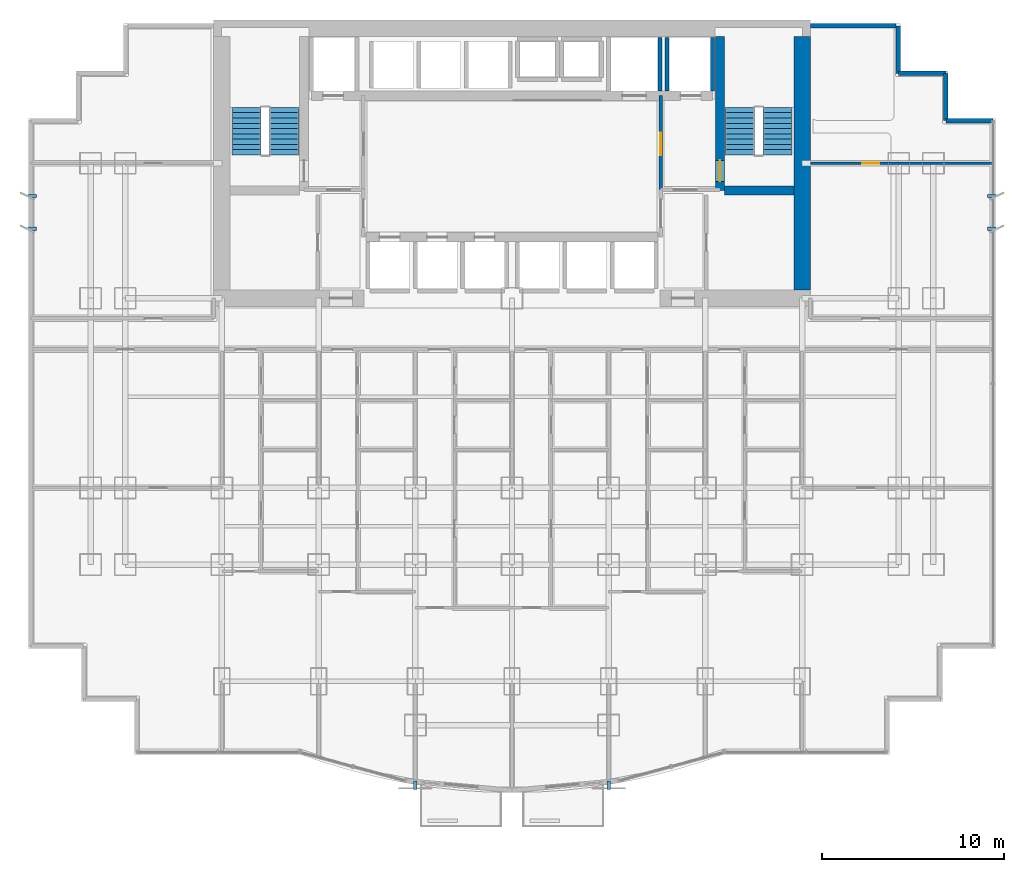
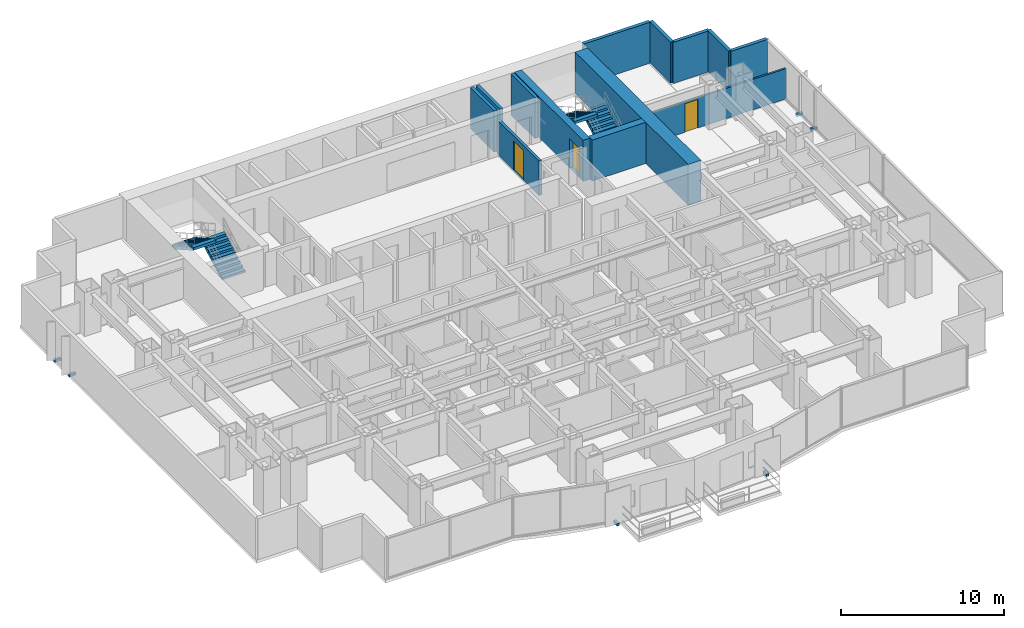
# One storey, part 10 of 12: 13 walls, 6 discrete accessories, 4 stair flights, 3 doors, 3 openings, 2 elements without a shape of their own.
"""IFC4 building model written with IfcOpenShell, lengths in metres."""

from ifc_helpers import new_model, si_unit, direction, frame, frame_2d, origin, origin_2d, place, context, subcontext, project, spatial, polyline, rectangle, outline, extrude, source, transform, mapped, material, layer, layer_set, type_object, element, fill, aggregate, save


model = new_model("IFC4")

# Units and contexts
model_context = context("Model", 3, precision=1e-05, world=origin(), true_north=direction((0.0, 1.0)))
body_context = subcontext(model_context, "Body", "Model", "MODEL_VIEW")
ifc_project = project(units=[si_unit("LENGTHUNIT", "METRE"), si_unit("AREAUNIT", "SQUARE_METRE"), si_unit("VOLUMEUNIT", "CUBIC_METRE"), si_unit("PLANEANGLEUNIT", "RADIAN"), si_unit("MASSUNIT", "GRAM", prefix="KILO")], contexts=[model_context])

# Site, building, storey
site_placement = place(None, origin())
site = spatial("IfcSite", under=ifc_project, at=site_placement, CompositionType="ELEMENT")
building_placement = place(site_placement, origin())
building = spatial("IfcBuilding", under=site, at=building_placement, Name="Qianlan Lanfeng Residences", CompositionType="ELEMENT")
storey_placement = place(building_placement, frame((0.0, 0.0, 27.5)))
storey = spatial("IfcBuildingStorey", under=building, at=storey_placement, Name="L06", CompositionType="ELEMENT", Elevation=27.5)

# Wall, opening, door
ifc_material_1 = material(Name="Concrete C70", Category="concrete")
ifc_layer_1 = layer(ifc_material_1, 0.5)
ifc_layer_set_1 = layer_set([ifc_layer_1], Name="Concrete C70")
wall_type_1 = type_object("IfcWallType", Name="CW-RC-500", PredefinedType="SHEAR", material=ifc_layer_set_1)
wall_1_placement = place(storey_placement, frame((37.89990234375, 31.10009765625, 0.0), z_axis=(0.0, 0.0, 1.0), x_axis=(0.0, 1.0, 0.0)))
wall_1 = element("IfcWall", 1, at=wall_1_placement, inside=storey, type_object=wall_type_1, Name="L06 Core Shear Wall ST2W", PredefinedType="SHEAR", context=body_context, shape_type="SweptSolid", body=[
    extrude(rectangle(XDim=8.449951171875, YDim=0.5, at=frame_2d((4.22509765625, 0.0))), origin(), (0.0, 0.0, 1.0), 3.080078125),
])
opening_1_placement = place(wall_1_placement, frame((0.510009765625, 0.0, 0.0)))
opening_1 = element("IfcOpeningElement", 2, at=opening_1_placement, cuts=wall_1, Name="Opening L06-D08", PredefinedType="OPENING", context=body_context, shape_type="SweptSolid", body=[
    extrude(rectangle(XDim=1.14990234375, YDim=2.199951171875, at=frame_2d((0.574951171875, 1.10009765625))), frame((0.0, 0.260009765625, 0.0), z_axis=(0.0, -1.0, 0.0), x_axis=(1.0, 0.0, 0.0)), (0.0, 0.0, 1.0), 0.52001953125),
])
ifc_material_2 = material(Name="Painted Galvanised Steel Fire Door", Category="steel")
door_type_1 = type_object("IfcDoorType", Name="DT-ST1", OperationType="NOTDEFINED", PredefinedType="DOOR", material=ifc_material_2)
door_1_placement = place(opening_1_placement, origin())
door_1 = element("IfcDoor", 3, at=door_1_placement, inside=storey, type_object=door_type_1, Name="L06 Exit Stair ST-2 Door L06-D08 (DT-ST1)", OperationType="SINGLE_SWING_RIGHT", OverallHeight=2.199951171875, OverallWidth=1.14990234375, PredefinedType="DOOR", context=body_context, shape_type="SweptSolid", body=[
    extrude(rectangle(XDim=1.14990234375, YDim=2.199951171875, at=frame_2d((0.574951171875, 1.10009765625))), frame((0.0, 0.02490234375, 0.0), z_axis=(0.0, -1.0, 0.0), x_axis=(1.0, 0.0, 0.0)), (0.0, 0.0, 1.0), 0.050048828125),
])
fill(opening_1, door_1)

# Walls
wall_2_placement = place(storey_placement, frame((38.14990234375, 31.10009765625, 0.0), z_axis=(0.0, 0.0, 1.0), x_axis=(1.0, 0.0, 0.0)))
element("IfcWall", 4, at=wall_2_placement, inside=storey, type_object=wall_type_1, Name="L06 Core Shear Wall ST2S", PredefinedType="SHEAR", context=body_context, shape_type="SweptSolid", body=[
    extrude(rectangle(XDim=3.800048828125, YDim=0.5, at=frame_2d((1.89990234375, 0.0))), origin(), (0.0, 0.0, 1.0), 3.080078125),
])
ifc_layer_2 = layer(ifc_material_1, 0.89990234375)
ifc_layer_set_2 = layer_set([ifc_layer_2], Name="Concrete C70")
wall_type_2 = type_object("IfcWallType", Name="CW-RC-900", PredefinedType="SHEAR", material=ifc_layer_set_2)
wall_3_placement = place(storey_placement, frame((42.39990234375, 25.64990234375, 0.0), z_axis=(0.0, 0.0, 1.0), x_axis=(0.0, 1.0, 0.0)))
element("IfcWall", 5, at=wall_3_placement, inside=storey, type_object=wall_type_2, Name="L06 Core Shear Wall E", PredefinedType="SHEAR", context=body_context, shape_type="SweptSolid", body=[
    extrude(rectangle(XDim=13.900146484375, YDim=0.89990234375, at=frame_2d((6.9501953125, 0.0))), origin(), (0.0, 0.0, 1.0), 3.080078125),
])
ifc_material_3 = material(Name="Concrete C42", Category="concrete")
ifc_layer_3 = layer(ifc_material_3, 0.239990234375)
ifc_layer_set_3 = layer_set([ifc_layer_3], Name="Concrete C42")
wall_type_3 = type_object("IfcWallType", Name="EW-240", PredefinedType="SOLIDWALL", material=ifc_layer_set_3)
wall_4_placement = place(storey_placement, frame((52.8798828125, 34.929931640625, 0.0), z_axis=(0.0, 0.0, 1.0), x_axis=(-1.0, 0.0, 0.0)))
element("IfcWall", 6, at=wall_4_placement, inside=storey, type_object=wall_type_3, Name="L06 Exterior Facade Spandrel Wall 11", PredefinedType="SOLIDWALL", context=body_context, shape_type="SweptSolid", body=[
    extrude(rectangle(XDim=2.599853515625, YDim=0.239990234375, at=frame_2d((1.2998046875, 0.0))), origin(), (0.0, 0.0, 1.0), 3.080078125),
])
for number, where, z_axis, x_axis, name in (
    (7, (50.280029296875, 34.929931640625, 0.0), (0.0, 0.0, 1.0), (0.0, 1.0, 0.0), "L06 Exterior Facade Spandrel Wall 12"),
    (8, (50.280029296875, 37.530029296875, 0.0), (0.0, 0.0, 1.0), (-1.0, 0.0, 0.0), "L06 Exterior Facade Spandrel Wall 13"),
):
    element("IfcWall", number, at=place(storey_placement, frame(where, z_axis=z_axis, x_axis=x_axis)), inside=storey, type_object=wall_type_3, Name=name, PredefinedType="SOLIDWALL", context=body_context, shape_type="SweptSolid", body=[
        extrude(rectangle(XDim=2.60009765625, YDim=0.239990234375, at=frame_2d((1.300048828125, 0.0))), origin(), (0.0, 0.0, 1.0), 3.080078125),
    ])
wall_5_placement = place(storey_placement, frame((47.679931640625, 37.530029296875, 0.0), z_axis=(0.0, 0.0, 1.0), x_axis=(0.0, 1.0, 0.0)))
element("IfcWall", 9, at=wall_5_placement, inside=storey, type_object=wall_type_3, Name="L06 Exterior Facade Spandrel Wall 14", PredefinedType="SOLIDWALL", context=body_context, shape_type="SweptSolid", body=[
    extrude(rectangle(XDim=2.599853515625, YDim=0.239990234375, at=frame_2d((1.2998046875, 0.0))), origin(), (0.0, 0.0, 1.0), 3.080078125),
])
wall_6_placement = place(storey_placement, frame((47.550048828125, 40.1298828125, 0.0), z_axis=(0.0, 0.0, 1.0), x_axis=(-1.0, 0.0, 0.0)))
element("IfcWall", 10, at=wall_6_placement, inside=storey, type_object=wall_type_3, Name="L06 North Wing Exterior Wall E", PredefinedType="SOLIDWALL", context=body_context, shape_type="SweptSolid", body=[
    extrude(rectangle(XDim=4.699951171875, YDim=0.239990234375, at=frame_2d((2.35009765625, 0.0))), origin(), (0.0, 0.0, 1.0), 3.080078125),
])

# Wall, opening, door
ifc_material_4 = material(Name="Moisture-Resistant Gypsum Partition 135 mm")
ifc_layer_4 = layer(ifc_material_4, 0.135009765625)
ifc_layer_set_4 = layer_set([ifc_layer_4], Name="Moisture-Resistant Gypsum Partition 135 mm")
wall_type_4 = type_object("IfcWallType", Name="PW-135", PredefinedType="PARTITIONING", material=ifc_layer_set_4)
wall_7_placement = place(storey_placement, frame((42.85009765625, 32.60009765625, 0.0), z_axis=(0.0, 0.0, 1.0), x_axis=(1.0, 0.0, 0.0)))
wall_7 = element("IfcWall", 11, at=wall_7_placement, inside=storey, type_object=wall_type_4, Name="L06 EW North Wing Wall", PredefinedType="PARTITIONING", context=body_context, shape_type="SweptSolid", body=[
    extrude(rectangle(XDim=10.02978515625, YDim=0.135009765625, at=frame_2d((5.014892578125, 0.0))), origin(), (0.0, 0.0, 1.0), 2.27490234375),
])
opening_2_placement = place(wall_7_placement, frame((2.85498046875, 0.0, 0.0)))
opening_2 = element("IfcOpeningElement", 12, at=opening_2_placement, cuts=wall_7, Name="Opening L06-D49", PredefinedType="OPENING", context=body_context, shape_type="SweptSolid", body=[
    extrude(rectangle(XDim=0.919921875, YDim=2.14990234375, at=frame_2d((0.4599609375, 1.074951171875))), frame((0.0, 0.07763671875, 0.0), z_axis=(0.0, -1.0, 0.0), x_axis=(1.0, 0.0, 0.0)), (0.0, 0.0, 1.0), 0.155029296875),
])
ifc_material_5 = material(Name="Glazed Timber Kitchen/Study Door", Category="wood")
door_type_2 = type_object("IfcDoorType", Name="DT-INT", OperationType="NOTDEFINED", PredefinedType="DOOR", material=ifc_material_5)
door_2_placement = place(opening_2_placement, origin())
door_2 = element("IfcDoor", 13, at=door_2_placement, inside=storey, type_object=door_type_2, Name="L06 EW Inner Salon Door L06-D49 (DT-INT)", OperationType="SINGLE_SWING_LEFT", OverallHeight=2.14990234375, OverallWidth=0.919921875, PredefinedType="DOOR", context=body_context, shape_type="SweptSolid", body=[
    extrude(rectangle(XDim=0.919921875, YDim=2.14990234375, at=frame_2d((0.4599609375, 1.074951171875))), frame((0.0, 0.02490234375, 0.0), z_axis=(0.0, -1.0, 0.0), x_axis=(1.0, 0.0, 0.0)), (0.0, 0.0, 1.0), 0.050048828125),
])
fill(opening_2, door_2)

ifc_material_6 = material(Name="Autoclaved Aerated Concrete Blockwork 200 mm", Category="masonry")
ifc_layer_5 = layer(ifc_material_6, 0.199951171875)
ifc_layer_set_5 = layer_set([ifc_layer_5], Name="Autoclaved Aerated Concrete Blockwork 200 mm")
wall_type_5 = type_object("IfcWallType", Name="PW-200", PredefinedType="PARTITIONING", material=ifc_layer_set_5)
wall_8_placement = place(storey_placement, frame((34.64990234375, 31.14990234375, 0.0), z_axis=(0.0, 0.0, 1.0), x_axis=(0.0, 1.0, 0.0)))
wall_8 = element("IfcWall", 14, at=wall_8_placement, inside=storey, type_object=wall_type_5, Name="L06 Firefighting Lobby 2 West Wall", PredefinedType="PARTITIONING", context=body_context, shape_type="SweptSolid", body=[
    extrude(rectangle(XDim=5.150146484375, YDim=0.199951171875, at=frame_2d((2.5751953125, 0.0))), origin(), (0.0, 0.0, 1.0), 2.570068359375),
])
opening_3_placement = place(wall_8_placement, frame((1.875, 0.0, 0.0)))
opening_3 = element("IfcOpeningElement", 15, at=opening_3_placement, cuts=wall_8, Name="Opening L06-D06", PredefinedType="OPENING", context=body_context, shape_type="SweptSolid", body=[
    extrude(rectangle(XDim=1.25, YDim=2.199951171875, at=frame_2d((0.625, 1.10009765625))), frame((0.0, 0.10986328125, 0.0), z_axis=(0.0, -1.0, 0.0), x_axis=(1.0, 0.0, 0.0)), (0.0, 0.0, 1.0), 0.219970703125),
])
door_type_3 = type_object("IfcDoorType", Name="DT-FFL", OperationType="NOTDEFINED", PredefinedType="DOOR", material=ifc_material_2)
door_3_placement = place(opening_3_placement, origin())
door_3 = element("IfcDoor", 16, at=door_3_placement, inside=storey, type_object=door_type_3, Name="L06 Firefighting Lobby 2 Lift Lobby Door L06-D06 (DT-FFL)", OperationType="SINGLE_SWING_LEFT", OverallHeight=2.199951171875, OverallWidth=1.25, PredefinedType="DOOR", context=body_context, shape_type="SweptSolid", body=[
    extrude(rectangle(XDim=1.25, YDim=2.199951171875, at=frame_2d((0.625, 1.10009765625))), frame((0.0, 0.02490234375, 0.0), z_axis=(0.0, -1.0, 0.0), x_axis=(1.0, 0.0, 0.0)), (0.0, 0.0, 1.0), 0.050048828125),
])
fill(opening_3, door_3)

# Walls
ifc_material_7 = material(Name="Concrete C49", Category="concrete")
ifc_layer_6 = layer(ifc_material_7, 0.219970703125)
ifc_layer_set_6 = layer_set([ifc_layer_6], Name="Concrete C49")
wall_type_6 = type_object("IfcWallType", Name="SHW-220", PredefinedType="SOLIDWALL", material=ifc_layer_set_6)
for number, where, z_axis, x_axis, name in (
    (17, (35.0, 36.550048828125, 0.0), (0.0, 0.0, 1.0), (0.0, 1.0, 0.0), "L06 Lift FFL-2 Shaft Wall W"),
    (18, (37.47998046875, 36.550048828125, 0.0), (0.0, 0.0, 1.0), (0.0, 1.0, 0.0), "L06 Lift FFL-2 Shaft Wall E"),
    (19, (34.60009765625, 36.550048828125, 0.0), (0.0, 0.0, 1.0), (0.0, 1.0, 0.0), "L06 Lift SVL-1 Shaft Wall E"),
):
    element("IfcWall", number, at=place(storey_placement, frame(where, z_axis=z_axis, x_axis=x_axis)), inside=storey, type_object=wall_type_6, Name=name, PredefinedType="SOLIDWALL", context=body_context, shape_type="SweptSolid", body=[
        extrude(rectangle(XDim=2.929931640625, YDim=0.219970703125, at=frame_2d((1.46484375, 0.0))), origin(), (0.0, 0.0, 1.0), 3.080078125),
    ])

# Stair, stair flights
stair_type = type_object("IfcStairType", Name="STR-MAIN", PredefinedType="HALF_TURN_STAIR", material=ifc_material_3)
stair_1_placement = place(storey_placement, origin())
stair_1 = element("IfcStair", 20, at=stair_1_placement, inside=storey, type_object=stair_type, Name="L06 Exit Stair ST-1", PredefinedType="HALF_TURN_STAIR")
stair_flight_type = type_object("IfcStairFlightType", Name="FLT-1720", PredefinedType="STRAIGHT", material=ifc_material_3)
stair_flight_1_placement = place(storey_placement, frame((14.02001953125, 33.050048828125, 0.0), z_axis=(0.0, 0.0, 1.0), x_axis=(0.0, 1.0, 0.0)))
stair_flight_1 = element("IfcStairFlight", 21, at=stair_flight_1_placement, type_object=stair_flight_type, Name="ST-1 flight 1", NumberOfRisers=10, NumberOfTreads=9, PredefinedType="STRAIGHT", RiserHeight=0.165, TreadLength=0.29, context=body_context, shape_type="SweptSolid", body=[
    extrude(outline(polyline([(0.0, 0.0), (0.0, 0.1650390625), (0.2900390625, 0.1650390625), (0.2900390625, 0.330078125), (0.580078125, 0.330078125), (0.580078125, 0.4951171875), (0.8701171875, 0.4951171875), (0.8701171875, 0.659912109375), (1.159912109375, 0.659912109375), (1.159912109375, 0.824951171875), (1.449951171875, 0.824951171875), (1.449951171875, 0.989990234375), (1.739990234375, 0.989990234375), (1.739990234375, 1.155029296875), (2.030029296875, 1.155029296875), (2.030029296875, 1.320068359375), (2.320068359375, 1.320068359375), (2.320068359375, 1.485107421875), (2.610107421875, 1.485107421875), (2.610107421875, 1.64990234375), (2.610107421875, 1.278076171875), (0.36376953125, 0.0), (0.0, 0.0)])), frame((0.0, 0.800048828125, 0.0), z_axis=(0.0, -1.0, 0.0), x_axis=(1.0, 0.0, 0.0)), (0.0, 0.0, 1.0), 1.60009765625),
])
stair_flight_2_placement = place(storey_placement, frame((11.93994140625, 35.659912109375, 1.64990234375), z_axis=(0.0, 0.0, 1.0), x_axis=(0.0, -1.0, 0.0)))
stair_flight_2 = element("IfcStairFlight", 22, at=stair_flight_2_placement, type_object=stair_flight_type, Name="ST-1 flight 2", NumberOfRisers=10, NumberOfTreads=9, PredefinedType="STRAIGHT", RiserHeight=0.165, TreadLength=0.29, context=body_context, shape_type="SweptSolid", body=[
    extrude(outline(polyline([(0.0, 0.0), (0.0, 0.1650390625), (0.2900390625, 0.1650390625), (0.2900390625, 0.330078125), (0.580078125, 0.330078125), (0.580078125, 0.4951171875), (0.8701171875, 0.4951171875), (0.8701171875, 0.659912109375), (1.159912109375, 0.659912109375), (1.159912109375, 0.824951171875), (1.449951171875, 0.824951171875), (1.449951171875, 0.989990234375), (1.739990234375, 0.989990234375), (1.739990234375, 1.155029296875), (2.030029296875, 1.155029296875), (2.030029296875, 1.320068359375), (2.320068359375, 1.320068359375), (2.320068359375, 1.485107421875), (2.610107421875, 1.485107421875), (2.610107421875, 1.64990234375), (2.610107421875, 1.278076171875), (0.36376953125, 0.0), (0.0, 0.0)])), frame((0.0, 0.800048828125, 0.0), z_axis=(0.0, -1.0, 0.0), x_axis=(1.0, 0.0, 0.0)), (0.0, 0.0, 1.0), 1.60009765625),
])
aggregate(stair_1, [stair_flight_1, stair_flight_2])

stair_2_placement = place(storey_placement, origin())
stair_2 = element("IfcStair", 23, at=stair_2_placement, inside=storey, type_object=stair_type, Name="L06 Exit Stair ST-2", PredefinedType="HALF_TURN_STAIR")
stair_flight_3_placement = place(storey_placement, frame((41.06005859375, 33.050048828125, 0.0), z_axis=(0.0, 0.0, 1.0), x_axis=(0.0, 1.0, 0.0)))
stair_flight_3 = element("IfcStairFlight", 24, at=stair_flight_3_placement, type_object=stair_flight_type, Name="ST-2 flight 1", NumberOfRisers=10, NumberOfTreads=9, PredefinedType="STRAIGHT", RiserHeight=0.165, TreadLength=0.29, context=body_context, shape_type="SweptSolid", body=[
    extrude(outline(polyline([(0.0, 0.0), (0.0, 0.1650390625), (0.2900390625, 0.1650390625), (0.2900390625, 0.330078125), (0.580078125, 0.330078125), (0.580078125, 0.4951171875), (0.8701171875, 0.4951171875), (0.8701171875, 0.659912109375), (1.159912109375, 0.659912109375), (1.159912109375, 0.824951171875), (1.449951171875, 0.824951171875), (1.449951171875, 0.989990234375), (1.739990234375, 0.989990234375), (1.739990234375, 1.155029296875), (2.030029296875, 1.155029296875), (2.030029296875, 1.320068359375), (2.320068359375, 1.320068359375), (2.320068359375, 1.485107421875), (2.610107421875, 1.485107421875), (2.610107421875, 1.64990234375), (2.610107421875, 1.278076171875), (0.36376953125, 0.0), (0.0, 0.0)])), frame((0.0, 0.800048828125, 0.0), z_axis=(0.0, -1.0, 0.0), x_axis=(1.0, 0.0, 0.0)), (0.0, 0.0, 1.0), 1.60009765625),
])
stair_flight_4_placement = place(storey_placement, frame((38.97998046875, 35.659912109375, 1.64990234375), z_axis=(0.0, 0.0, 1.0), x_axis=(0.0, -1.0, 0.0)))
stair_flight_4 = element("IfcStairFlight", 25, at=stair_flight_4_placement, type_object=stair_flight_type, Name="ST-2 flight 2", NumberOfRisers=10, NumberOfTreads=9, PredefinedType="STRAIGHT", RiserHeight=0.165, TreadLength=0.29, context=body_context, shape_type="SweptSolid", body=[
    extrude(outline(polyline([(0.0, 0.0), (0.0, 0.1650390625), (0.2900390625, 0.1650390625), (0.2900390625, 0.330078125), (0.580078125, 0.330078125), (0.580078125, 0.4951171875), (0.8701171875, 0.4951171875), (0.8701171875, 0.659912109375), (1.159912109375, 0.659912109375), (1.159912109375, 0.824951171875), (1.449951171875, 0.824951171875), (1.449951171875, 0.989990234375), (1.739990234375, 0.989990234375), (1.739990234375, 1.155029296875), (2.030029296875, 1.155029296875), (2.030029296875, 1.320068359375), (2.320068359375, 1.320068359375), (2.320068359375, 1.485107421875), (2.610107421875, 1.485107421875), (2.610107421875, 1.64990234375), (2.610107421875, 1.278076171875), (0.36376953125, 0.0), (0.0, 0.0)])), frame((0.0, 0.800048828125, 0.0), z_axis=(0.0, -1.0, 0.0), x_axis=(1.0, 0.0, 0.0)), (0.0, 0.0, 1.0), 1.60009765625),
])
aggregate(stair_2, [stair_flight_3, stair_flight_4])

# Discrete accessories
ifc_material_8 = material(Name="Stainless Steel Facade Bracket", Category="steel")
discrete_accessory_type = type_object("IfcDiscreteAccessoryType", Name="BRK-SS-350", PredefinedType="BRACKET", material=ifc_material_8)
shared_shape_1 = source(origin(), body_context, "Body", "SweptSolid", [
    extrude(rectangle(XDim=0.179931640625, YDim=0.449951171875, at=origin_2d()), origin(), (0.0, 0.0, 1.0), 0.179931640625),
])
for number, where, z_axis, x_axis, name in (
    (26, (21.199951171875, -1.5, -0.14990234375), (0.0, 0.0, 1.0), (1.0, 0.0, 0.0), "L06 Solar Screen Support Bracket 1"),
    (27, (31.800048828125, -1.5, -0.14990234375), (0.0, 0.0, 1.0), (1.0, 0.0, 0.0), "L06 Solar Screen Support Bracket 2"),
):
    element("IfcDiscreteAccessory", number, at=place(storey_placement, frame(where, z_axis=z_axis, x_axis=x_axis)), inside=storey, type_object=discrete_accessory_type, Name=name, PredefinedType="BRACKET", context=body_context, shape_type="MappedRepresentation", body=[
        mapped(shared_shape_1, transform((0.0, 0.0, 0.0), scale=1.0)),
    ])
shared_shape_2 = source(origin(), body_context, "Body", "SweptSolid", [
    extrude(rectangle(XDim=0.449951171875, YDim=0.179931640625, at=origin_2d()), origin(), (0.0, 0.0, 1.0), 0.179931640625),
])
for number, where, z_axis, x_axis, name in (
    (28, (0.199951171875, 29.0, -0.14990234375), (0.0, 0.0, 1.0), (1.0, 0.0, 0.0), "L06 Raked Solar Fin Support Bracket W1"),
    (29, (0.199951171875, 30.800048828125, -0.14990234375), (0.0, 0.0, 1.0), (1.0, 0.0, 0.0), "L06 Raked Solar Fin Support Bracket W2"),
    (30, (52.800048828125, 29.0, -0.14990234375), (0.0, 0.0, 1.0), (1.0, 0.0, 0.0), "L06 Raked Solar Fin Support Bracket E1"),
    (31, (52.800048828125, 30.800048828125, -0.14990234375), (0.0, 0.0, 1.0), (1.0, 0.0, 0.0), "L06 Raked Solar Fin Support Bracket E2"),
):
    element("IfcDiscreteAccessory", number, at=place(storey_placement, frame(where, z_axis=z_axis, x_axis=x_axis)), inside=storey, type_object=discrete_accessory_type, Name=name, PredefinedType="BRACKET", context=body_context, shape_type="MappedRepresentation", body=[
        mapped(shared_shape_2, transform((0.0, 0.0, 0.0), scale=1.0)),
    ])

save(model, "model.ifc")
